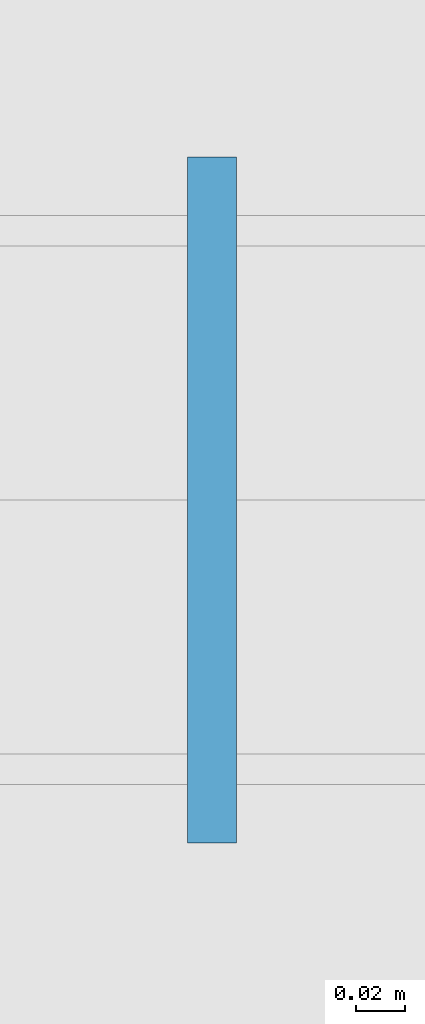
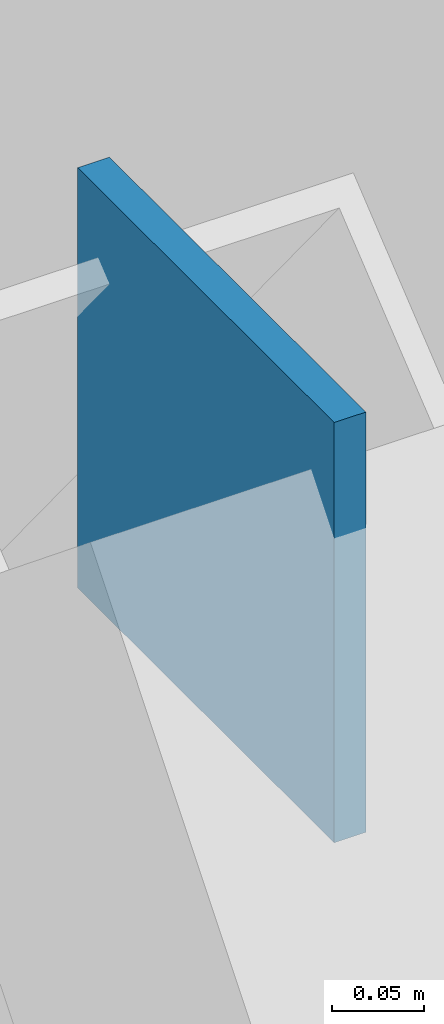
# One storey, part 28 of 58: 1 plate.
"""IFC4 building model written with IfcOpenShell, lengths in metres."""

from ifc_helpers import new_model, si_unit, direction, frame, origin, origin_2d, place, context, subcontext, project, spatial, rectangle, extrude, material, layer, layer_set, type_object, element, save


model = new_model("IFC4")

# Units and contexts
model_context = context("Model", 3, precision=1e-05, world=origin(), true_north=direction((0.0, 1.0)))
body_context = subcontext(model_context, "Body", "Model", "MODEL_VIEW")
ifc_project = project(units=[si_unit("LENGTHUNIT", "METRE"), si_unit("AREAUNIT", "SQUARE_METRE"), si_unit("VOLUMEUNIT", "CUBIC_METRE"), si_unit("PLANEANGLEUNIT", "RADIAN"), si_unit("MASSUNIT", "GRAM", prefix="KILO")], contexts=[model_context])

# Site, building, storey
site_placement = place(None, origin())
site = spatial("IfcSite", under=ifc_project, at=site_placement, CompositionType="ELEMENT")
building_placement = place(site_placement, origin())
building = spatial("IfcBuilding", under=site, at=building_placement, Name="Barlavento Convention Centre", CompositionType="ELEMENT")
storey_placement = place(building_placement, origin())
storey = spatial("IfcBuildingStorey", under=building, at=storey_placement, Name="L00", CompositionType="ELEMENT", Elevation=0.0)

# Plate
ifc_material = material(Name="Steel S355", Category="steel")
ifc_layer = layer(ifc_material, 0.02001953125)
ifc_layer_set = layer_set([ifc_layer], Name="STR-PLT-CAP-280")
plate_type = type_object("IfcPlateType", Name="STR-PLT-CAP-280", PredefinedType="SHEET", material=ifc_layer_set)
plate_placement = place(storey_placement, frame((126.0, 85.5, 5.31982421875), z_axis=(0.0, 0.0, 1.0), x_axis=(1.0, 0.0, 0.0)))
element("IfcPlate", 1, at=plate_placement, inside=storey, type_object=plate_type, Name="Chevron brace gusset splice plate EC03", PredefinedType="SHEET", context=body_context, shape_type="SweptSolid", body=[
    extrude(rectangle(XDim=0.02001953125, YDim=0.280029296875, at=origin_2d()), origin(), (0.0, 0.0, 1.0), 0.280029296875),
])

save(model, "model.ifc")
